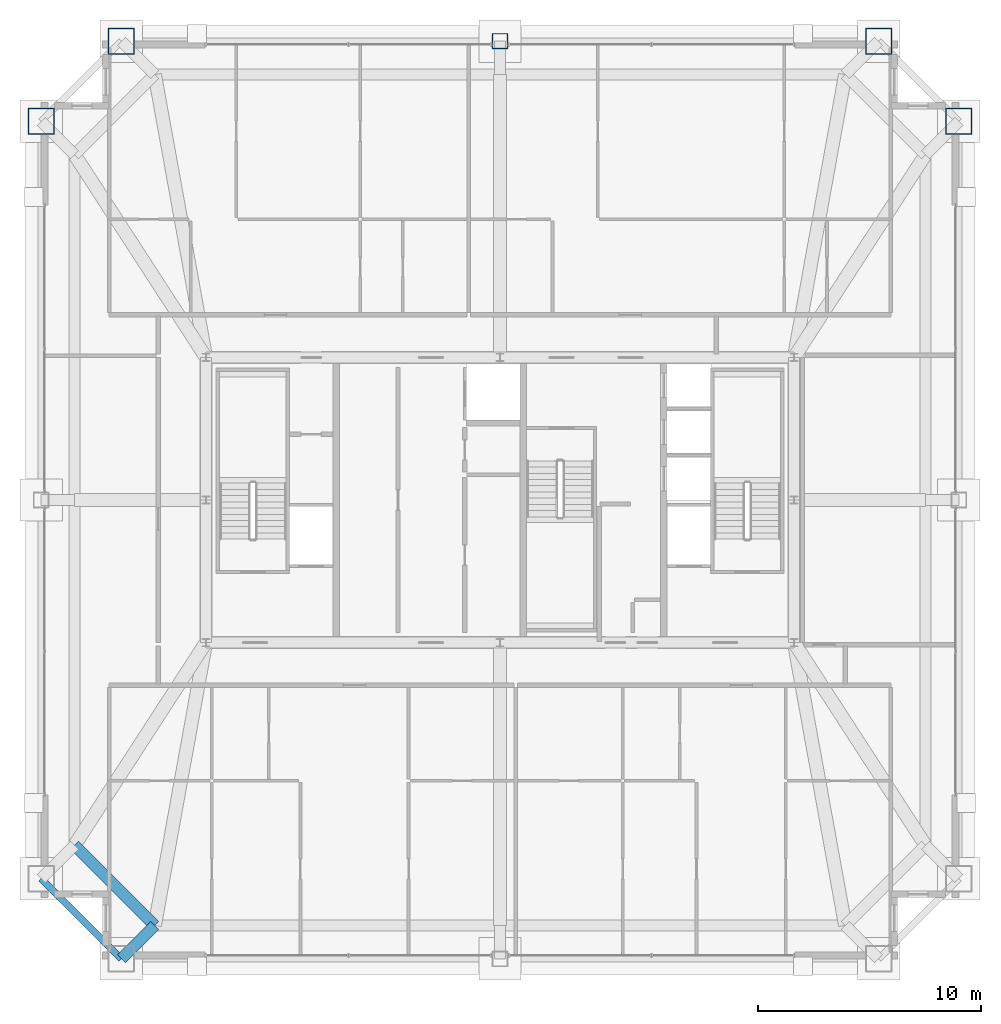
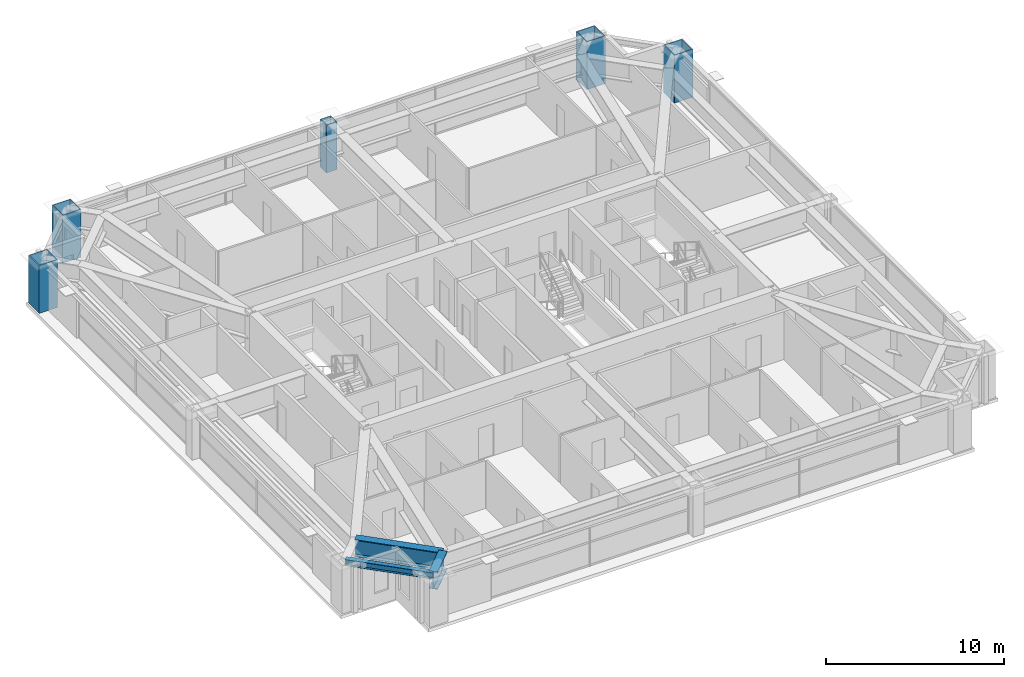
# One storey, part 3 of 33: 5 columns, 3 beams.
"""IFC4 building model written with IfcOpenShell, lengths in metres."""

import ifcopenshell
import ifcopenshell.guid

model = None  # the IFC model being written
_history = None  # IfcOwnerHistory: only IFC2X3 demands one
_inside = {}  # id of a spatial element -> (the spatial element, [elements in it])
_under = {}  # id of a project, library or spatial element -> (it, [spatial elements below it])
_declared = {}  # id of a project -> (the project, [libraries it declares])
_typed = {}  # id of a type object -> (the type object, [elements of that type])
_made_of = {}  # id of a material, layer set ... -> (it, [elements and type objects made of it])


def new_model(schema):
    """Start an empty IFC model of exactly this schema.

    Asked for "IFC4X3", IfcOpenShell would pick the latest addendum, in which some entities
    have other attributes; the version numbers below select the first issue.
    IFC2X3 requires an IfcOwnerHistory on every rooted entity: one is made here for all.
    """
    global model, _history
    if schema == "IFC4X3":
        model = ifcopenshell.file(schema_version=(4, 3, 0, 0))
    else:
        model = ifcopenshell.file(schema=schema)
    _inside.clear()
    _under.clear()
    _declared.clear()
    _typed.clear()
    _made_of.clear()
    _history = None
    if model.schema == "IFC2X3":
        org = make("IfcOrganization", Name="unknown")
        user = make(
            "IfcPersonAndOrganization",
            ThePerson=make("IfcPerson", FamilyName="unknown"),
            TheOrganization=org,
        )
        app = make(
            "IfcApplication",
            ApplicationDeveloper=org,
            Version="unknown",
            ApplicationFullName="unknown",
            ApplicationIdentifier="unknown",
        )
        _history = make(
            "IfcOwnerHistory",
            OwningUser=user,
            OwningApplication=app,
            ChangeAction="ADDED",
            CreationDate=0,
        )
    return model


def make(cls, **values):
    """One entity of the class cls with the attributes given. An attribute that is None is left unset."""
    return model.create_entity(
        cls, **{name: value for name, value in values.items() if value is not None}
    )


def rooted(cls, **values):
    """An entity with a GlobalId (a new one), such as an element, a storey or a relation."""
    return make(cls, GlobalId=ifcopenshell.guid.new(), OwnerHistory=_history, **values)


def si_unit(unit_type, name, prefix=None):
    """IfcSIUnit, for example si_unit("LENGTHUNIT", "METRE", prefix="MILLI")."""
    return make("IfcSIUnit", UnitType=unit_type, Prefix=prefix, Name=name)


def assignment(units):
    """IfcUnitAssignment: the units of a project."""
    return None if units is None else make("IfcUnitAssignment", Units=units)


def point(xyz):
    """IfcCartesianPoint."""
    return None if xyz is None else make("IfcCartesianPoint", Coordinates=xyz)


def direction(xyz):
    """IfcDirection."""
    return None if xyz is None else make("IfcDirection", DirectionRatios=xyz)


def frame(location, z_axis=None, x_axis=None):
    """IfcAxis2Placement3D, a coordinate frame: its origin and axes. An axis left out is left unset."""
    return make(
        "IfcAxis2Placement3D",
        Location=point(location),
        Axis=direction(z_axis),
        RefDirection=direction(x_axis),
    )


def frame_2d(location, x_axis=None):
    """IfcAxis2Placement2D, a coordinate frame in the plane: its origin and x axis."""
    return make(
        "IfcAxis2Placement2D", Location=point(location), RefDirection=direction(x_axis)
    )


def origin():
    """The frame at (0, 0, 0) with its axes left unset."""
    return frame((0.0, 0.0, 0.0))


def origin_2d():
    """The frame at (0, 0) in the plane with its x axis left unset."""
    return frame_2d((0.0, 0.0))


def place(relative_to, where):
    """IfcLocalPlacement: puts the frame where relative to a parent placement (None: the world)."""
    return make(
        "IfcLocalPlacement", PlacementRelTo=relative_to, RelativePlacement=where
    )


def context(
    kind, dimensions, precision=None, world=None, true_north=None, identifier=None
):
    """IfcGeometricRepresentationContext, for example the 3D "Model" context."""
    return make(
        "IfcGeometricRepresentationContext",
        ContextIdentifier=identifier,
        ContextType=kind,
        CoordinateSpaceDimension=dimensions,
        Precision=precision,
        WorldCoordinateSystem=world,
        TrueNorth=true_north,
    )


def subcontext(parent, identifier, kind, view, scale=None):
    """IfcGeometricRepresentationSubContext, for example "Body" below "Model"."""
    return make(
        "IfcGeometricRepresentationSubContext",
        ContextIdentifier=identifier,
        ContextType=kind,
        ParentContext=parent,
        TargetScale=scale,
        TargetView=view,
    )


def project(units=None, contexts=None):
    """IfcProject with its units and contexts."""
    return rooted(
        "IfcProject",
        Name="project",
        RepresentationContexts=contexts,
        UnitsInContext=assignment(units),
    )


def spatial(cls, under=None, at=None, **own):
    """A site, building, storey or space (cls), placed at a placement, below another one or the project."""
    s = rooted(cls, ObjectPlacement=at, **own)
    if under is not None:
        _under.setdefault(under.id(), (under, []))[1].append(s)
    return s


def profile(cls, at=None, kind="AREA", **sizes):
    """A parametric profile (cls). Its sizes go by their IFC names, for example OverallWidth=200.0."""
    return make(cls, ProfileType=kind, Position=at, **sizes)


def hollow_rectangle(**sizes):
    """IfcRectangleHollowProfileDef."""
    return profile("IfcRectangleHollowProfileDef", **sizes)


def i_section(**sizes):
    """IfcIShapeProfileDef."""
    return profile("IfcIShapeProfileDef", **sizes)


def extrude(swept, where, along, depth):
    """IfcExtrudedAreaSolid: the profile swept, set in the frame where, extruded along a direction by depth."""
    return make(
        "IfcExtrudedAreaSolid",
        SweptArea=swept,
        Position=where,
        ExtrudedDirection=direction(along),
        Depth=depth,
    )


def shape(context_of_items, identifier, shape_type, items):
    """IfcShapeRepresentation: the items that make up one representation, for example the "Body"."""
    return make(
        "IfcShapeRepresentation",
        ContextOfItems=context_of_items,
        RepresentationIdentifier=identifier,
        RepresentationType=shape_type,
        Items=items,
    )


def source(mapping_origin, context_of_items, identifier, shape_type, items):
    """IfcRepresentationMap: a shape defined once, which mapped items show again and again."""
    return make(
        "IfcRepresentationMap",
        MappingOrigin=mapping_origin,
        MappedRepresentation=shape(context_of_items, identifier, shape_type, items),
    )


def transform(
    local_origin,
    x_axis=None,
    y_axis=None,
    z_axis=None,
    scale=None,
    scale2=None,
    scale3=None,
    uniform=True,
):
    """IfcCartesianTransformationOperator3D, or its non-uniform kind. x_axis, y_axis, z_axis: its Axis1, 2, 3."""
    if uniform:
        return make(
            "IfcCartesianTransformationOperator3D",
            Axis1=direction(x_axis),
            Axis2=direction(y_axis),
            LocalOrigin=point(local_origin),
            Scale=scale,
            Axis3=direction(z_axis),
        )
    return make(
        "IfcCartesianTransformationOperator3DnonUniform",
        Axis1=direction(x_axis),
        Axis2=direction(y_axis),
        LocalOrigin=point(local_origin),
        Scale=scale,
        Axis3=direction(z_axis),
        Scale2=scale2,
        Scale3=scale3,
    )


def mapped(mapping_source, mapping_target):
    """IfcMappedItem: shows the shape of a source again, moved by a transform."""
    return make(
        "IfcMappedItem", MappingSource=mapping_source, MappingTarget=mapping_target
    )


def material(Name=None, Category=None):
    """IfcMaterial."""
    return make("IfcMaterial", Name=Name, Category=Category)


def material_profile(
    of_material, cross_section, Name=None, Category=None, Priority=None
):
    """IfcMaterialProfile: a cross section and its material."""
    return make(
        "IfcMaterialProfile",
        Name=Name,
        Material=of_material,
        Profile=cross_section,
        Priority=Priority,
        Category=Category,
    )


def profile_set(profiles, Name=None, composite=None):
    """IfcMaterialProfileSet."""
    return make(
        "IfcMaterialProfileSet",
        Name=Name,
        MaterialProfiles=profiles,
        CompositeProfile=composite,
    )


def made_of(thing, what):
    """Note that an element or type object is made of a material, layer set ...; save() writes the relation."""
    if what is not None:
        _made_of.setdefault(what.id(), (what, []))[1].append(thing)
    return thing


def type_object(cls, material=None, **own):
    """A type object (cls), such as IfcWallType, which elements share."""
    return made_of(rooted(cls, **own), material)


def element(
    cls,
    number,
    at=None,
    inside=None,
    cuts=None,
    type_object=None,
    material=None,
    context=None,
    identifier="Body",
    shape_type=None,
    held_by="IfcProductDefinitionShape",
    body=None,
    shapes=None,
    **own,
):
    """One element of the class cls, such as IfcWall. Its Tag is "e" and its number.

    at: its placement. inside: the storey or other place that contains it. cuts: it is an
    opening in that element (IfcRelVoidsElement). A single representation is given by context,
    identifier, shape_type and body (its items); several are given by shapes. held_by: the class
    of the entity that holds the representations. save() writes the other relations.
    """
    e = rooted(cls, Tag="e%d" % number, ObjectPlacement=at, **own)
    if body is not None:
        shapes = [shape(context, identifier, shape_type, body)]
    if shapes is not None:
        e.Representation = make(held_by, Representations=shapes)
    if inside is not None:
        _inside.setdefault(inside.id(), (inside, []))[1].append(e)
    if cuts is not None:
        rooted(
            "IfcRelVoidsElement", RelatingBuildingElement=cuts, RelatedOpeningElement=e
        )
    if type_object is not None:
        _typed.setdefault(type_object.id(), (type_object, []))[1].append(e)
    return made_of(e, material)


def aggregate(whole, parts):
    """IfcRelAggregates: a whole, such as a stair, and the parts it consists of."""
    return rooted("IfcRelAggregates", RelatingObject=whole, RelatedObjects=parts)


def save(model, path):
    """Write the relations noted so far, then the file.

    IfcRelAggregates (storeys below a building ...), IfcRelContainedInSpatialStructure (elements
    in a storey), IfcRelDefinesByType, IfcRelAssociatesMaterial and IfcRelDeclares: one each for
    every whole, place, type object, material and project.
    """
    for whole, parts in _under.values():
        aggregate(whole, parts)
    for where, things in _inside.values():
        rooted(
            "IfcRelContainedInSpatialStructure",
            RelatedElements=things,
            RelatingStructure=where,
        )
    for kind, things in _typed.values():
        rooted("IfcRelDefinesByType", RelatedObjects=things, RelatingType=kind)
    for what, things in _made_of.values():
        rooted("IfcRelAssociatesMaterial", RelatedObjects=things, RelatingMaterial=what)
    for by, libraries in _declared.values():
        rooted("IfcRelDeclares", RelatingContext=by, RelatedDefinitions=libraries)
    model.write(path)


model = new_model("IFC4")

# Units and contexts
model_context = context("Model", 3, precision=1e-05, world=origin(), true_north=direction((0.0, 1.0)))
body_context = subcontext(model_context, "Body", "Model", "MODEL_VIEW")
ifc_project = project(units=[si_unit("LENGTHUNIT", "METRE"), si_unit("AREAUNIT", "SQUARE_METRE"), si_unit("VOLUMEUNIT", "CUBIC_METRE"), si_unit("PLANEANGLEUNIT", "RADIAN"), si_unit("MASSUNIT", "GRAM", prefix="KILO"), si_unit("THERMODYNAMICTEMPERATUREUNIT", "KELVIN"), si_unit("POWERUNIT", "WATT")], contexts=[model_context])

# Site, building, storey
site_placement = place(None, origin())
site = spatial("IfcSite", under=ifc_project, at=site_placement, CompositionType="ELEMENT")
building_placement = place(site_placement, origin())
building = spatial("IfcBuilding", under=site, at=building_placement, Name="Yuzanri Waterfront Tower", CompositionType="ELEMENT")
storey_placement = place(building_placement, frame((0.0, 0.0, 282.10009765625)))
storey = spatial("IfcBuildingStorey", under=building, at=storey_placement, Name="L75", CompositionType="ELEMENT", Elevation=282.10009765625)

# Columns
ifc_material_1 = material(Name="Steel Q390GJC", Category="steel")
ifc_material_profile_1 = material_profile(ifc_material_1, hollow_rectangle(XDim=1.199951171875, YDim=1.199951171875, WallThickness=0.054931640625, at=origin_2d()), Name="RHS 1200x1200x55")
ifc_profile_set_1 = profile_set([ifc_material_profile_1], Name="Steel Q390GJC")
column_type_1 = type_object("IfcColumnType", Name="Mega Column Q390GJC RHS 1200x1200x55", PredefinedType="COLUMN", material=ifc_profile_set_1)
shared_shape_1 = source(origin(), body_context, "Body", "SweptSolid", [
    extrude(hollow_rectangle(XDim=1.199951171875, YDim=1.199951171875, WallThickness=0.054931640625, at=origin_2d()), origin(), (0.0, 0.0, 1.0), 3.27978515625),
])
for number, where, z_axis, x_axis, name in (
    (1, (20.0, 46.39990234375, 0.0), (0.0, 0.0, 1.0), (1.0, 0.0, 0.0), "L75 Perimeter Mega Column N1"),
    (2, (54.0, 46.39990234375, 0.0), (0.0, 0.0, 1.0), (1.0, 0.0, 0.0), "L75 Perimeter Mega Column N3"),
    (3, (16.39990234375, 42.800048828125, 0.0), (0.0, 0.0, 1.0), (1.0, 0.0, 0.0), "L75 Perimeter Mega Column W3"),
    (4, (57.60009765625, 42.800048828125, 0.0), (0.0, 0.0, 1.0), (1.0, 0.0, 0.0), "L75 Perimeter Mega Column E3"),
):
    element("IfcColumn", number, at=place(storey_placement, frame(where, z_axis=z_axis, x_axis=x_axis)), inside=storey, type_object=column_type_1, Name=name, PredefinedType="COLUMN", context=body_context, shape_type="MappedRepresentation", body=[
        mapped(shared_shape_1, transform((0.0, 0.0, 0.0), scale=1.0)),
    ])
ifc_material_2 = material(Name="Steel Q355B", Category="steel")
ifc_material_profile_2 = material_profile(ifc_material_2, hollow_rectangle(XDim=0.699951171875, YDim=0.699951171875, WallThickness=0.031982421875, at=origin_2d()), Name="RHS 700x700x32")
ifc_profile_set_2 = profile_set([ifc_material_profile_2], Name="Steel Q355B")
column_type_2 = type_object("IfcColumnType", Name="Frame Column Q355B RHS 700x700x32", PredefinedType="COLUMN", material=ifc_profile_set_2)
shared_shape_2 = source(origin(), body_context, "Body", "SweptSolid", [
    extrude(hollow_rectangle(XDim=0.699951171875, YDim=0.699951171875, WallThickness=0.031982421875, at=origin_2d()), origin(), (0.0, 0.0, 1.0), 3.27978515625),
])
column_placement = place(storey_placement, frame((37.0, 46.39990234375, 0.0), z_axis=(0.0, 0.0, 1.0), x_axis=(1.0, 0.0, 0.0)))
element("IfcColumn", 5, at=column_placement, inside=storey, type_object=column_type_2, Name="L75 Perimeter Frame Column N2", PredefinedType="COLUMN", context=body_context, shape_type="MappedRepresentation", body=[
    mapped(shared_shape_2, transform((0.0, 0.0, 0.0), scale=1.0)),
])

# Beams
ifc_material_3 = material(Name="Steel Q420GJC", Category="steel")
ifc_material_profile_3 = material_profile(ifc_material_3, i_section(OverallWidth=0.5, OverallDepth=1.199951171875, WebThickness=0.028076171875, FlangeThickness=0.050048828125, at=origin_2d()), Name="PG 1200x500x28x50")
ifc_profile_set_3 = profile_set([ifc_material_profile_3], Name="Steel Q420GJC")
beam_type_1 = type_object("IfcBeamType", Name="Setback Transfer Girder Q420GJC PG 1200x500", PredefinedType="USERDEFINED", material=ifc_profile_set_3)
shared_shape_3 = source(origin(), body_context, "Body", "SweptSolid", [
    extrude(i_section(OverallWidth=0.5, OverallDepth=1.199951171875, WebThickness=0.028076171875, FlangeThickness=0.050048828125, at=origin_2d()), origin(), (0.0, 0.0, 1.0), 2.121337890625),
])
beam_1_placement = place(storey_placement, frame((21.5, 6.699951171875, 2.679931640625), z_axis=(-0.707106781187, -0.707106781187, 0.0), x_axis=(0.707106781187, -0.707106781187, 0.0)))
element("IfcBeam", 6, at=beam_1_placement, inside=storey, type_object=beam_type_1, Name="L75 Setback Step Transfer S1", ObjectType="GIRDER", PredefinedType="USERDEFINED", context=body_context, shape_type="MappedRepresentation", body=[
    mapped(shared_shape_3, transform((0.0, 0.0, 0.0), scale=1.0)),
])
shared_shape_4 = source(origin(), body_context, "Body", "SweptSolid", [
    extrude(i_section(OverallWidth=0.5, OverallDepth=1.199951171875, WebThickness=0.028076171875, FlangeThickness=0.050048828125, at=origin_2d()), origin(), (0.0, 0.0, 1.0), 5.09130859375),
])
beam_2_placement = place(storey_placement, frame((17.89990234375, 10.300048828125, 2.679931640625), z_axis=(0.707106781187, -0.707106781187, 0.0), x_axis=(0.707106781187, 0.707106781187, 0.0)))
element("IfcBeam", 7, at=beam_2_placement, inside=storey, type_object=beam_type_1, Name="L75 Setback Upper Ring W1-S1", ObjectType="GIRDER", PredefinedType="USERDEFINED", context=body_context, shape_type="MappedRepresentation", body=[
    mapped(shared_shape_4, transform((0.0, 0.0, 0.0), scale=1.0)),
])
ifc_material_4 = material(Name="Steel Q355B", Category="steel")
ifc_material_profile_4 = material_profile(ifc_material_4, i_section(OverallWidth=0.300048828125, OverallDepth=0.43994140625, WebThickness=0.010986328125, FlangeThickness=0.01806640625, at=origin_2d()), Name="HM 440x300x11x18")
ifc_profile_set_4 = profile_set([ifc_material_profile_4], Name="Steel Q355B")
beam_type_2 = type_object("IfcBeamType", Name="Perimeter Spandrel Q355B HM 440x300", PredefinedType="SPANDREL", material=ifc_profile_set_4)
shared_shape_5 = source(origin(), body_context, "Body", "SweptSolid", [
    extrude(i_section(OverallWidth=0.300048828125, OverallDepth=0.43994140625, WebThickness=0.010986328125, FlangeThickness=0.01806640625, at=origin_2d()), origin(), (0.0, 0.0, 1.0), 5.09130859375),
])
beam_3_placement = place(storey_placement, frame((16.39990234375, 8.800048828125, 3.059814453125), z_axis=(0.707106781187, -0.707106781187, 0.0), x_axis=(0.707106781187, 0.707106781187, 0.0)))
element("IfcBeam", 8, at=beam_3_placement, inside=storey, type_object=beam_type_2, Name="L75 Perimeter Spandrel W1-S1", PredefinedType="SPANDREL", context=body_context, shape_type="MappedRepresentation", body=[
    mapped(shared_shape_5, transform((0.0, 0.0, 0.0), scale=1.0)),
])

save(model, "model.ifc")
